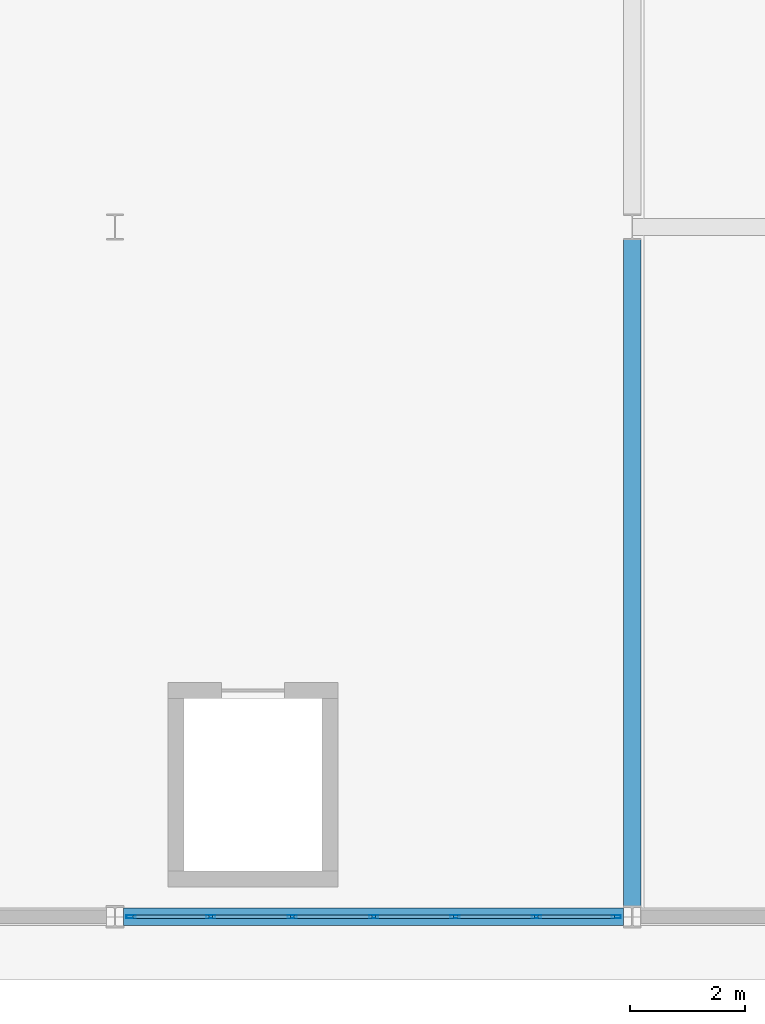
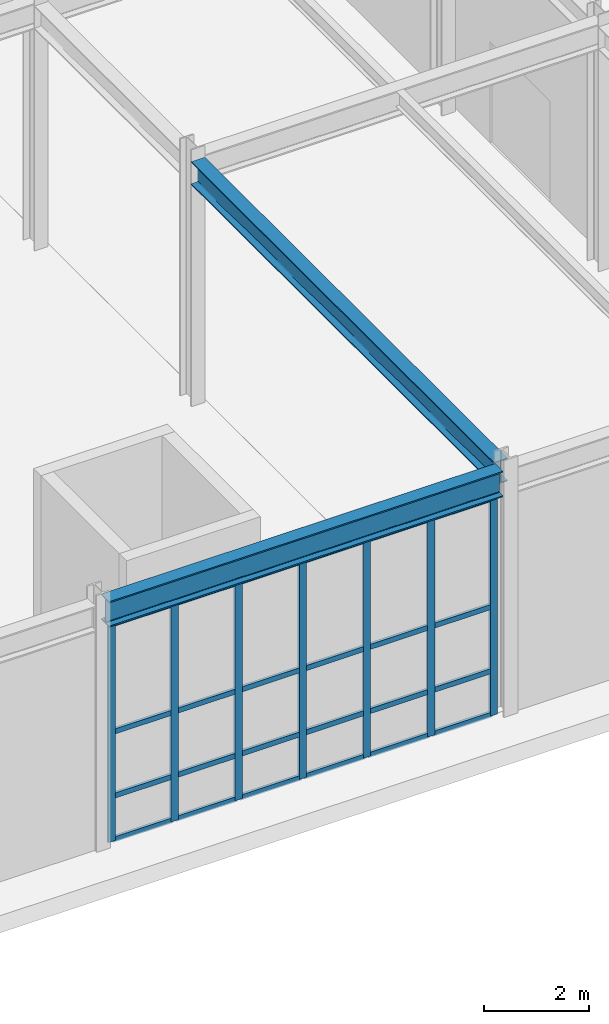
# One storey, part 23 of 146: 31 members, 2 beams, 1 element without a shape of its own.
"""IFC4 building model written with IfcOpenShell, lengths in metres."""

from ifc_helpers import new_model, si_unit, direction, frame, origin, origin_2d, place, context, subcontext, project, spatial, hollow_rectangle, i_section, extrude, material, material_profile, profile_set, type_object, element, aggregate, save


model = new_model("IFC4")

# Units and contexts
model_context = context("Model", 3, precision=1e-05, world=origin(), true_north=direction((0.0, 1.0)))
body_context = subcontext(model_context, "Body", "Model", "MODEL_VIEW")
ifc_project = project(units=[si_unit("LENGTHUNIT", "METRE"), si_unit("AREAUNIT", "SQUARE_METRE"), si_unit("VOLUMEUNIT", "CUBIC_METRE"), si_unit("PLANEANGLEUNIT", "RADIAN"), si_unit("MASSUNIT", "GRAM", prefix="KILO")], contexts=[model_context])

# Site, building, storey
site_placement = place(None, origin())
site = spatial("IfcSite", under=ifc_project, at=site_placement, CompositionType="ELEMENT")
building_placement = place(site_placement, origin())
building = spatial("IfcBuilding", under=site, at=building_placement, Name="Kaldris Quays Convention Centre", CompositionType="ELEMENT")
storey_placement = place(building_placement, origin())
storey = spatial("IfcBuildingStorey", under=building, at=storey_placement, Name="L00", CompositionType="ELEMENT", Elevation=0.0)

# Curtain wall, members
ifc_material_1 = material(Name="Anodized aluminium AW-6060 and triple glazing", Category="aluminium")
curtain_wall_type = type_object("IfcCurtainWallType", Name="UNITISED CURTAIN WALL CW01", PredefinedType="NOTDEFINED", material=ifc_material_1)
curtain_wall_placement = place(storey_placement, origin())
curtain_wall = element("IfcCurtainWall", 1, at=curtain_wall_placement, inside=storey, type_object=curtain_wall_type, Name="L00 Unitised Curtain Wall CW01 45", PredefinedType="NOTDEFINED")
ifc_material_2 = material(Name="Anodized aluminium AW-6060", Category="aluminium")
ifc_material_profile_1 = material_profile(ifc_material_2, hollow_rectangle(XDim=0.06005859375, YDim=0.159912109375, WallThickness=0.00390625, at=origin_2d()), Name="RHS 160x60x4")
ifc_profile_set_1 = profile_set([ifc_material_profile_1], Name="Anodized aluminium AW-6060")
member_type_1 = type_object("IfcMemberType", Name="CURTAIN MULLION CWM1", PredefinedType="MULLION", material=ifc_profile_set_1)
member_1_placement = place(storey_placement, frame((38.280029296875, 16.0, 0.0), z_axis=(0.0, 0.0, 1.0), x_axis=(0.0, 1.0, 0.0)))
member_1 = element("IfcMember", 2, at=member_1_placement, type_object=member_type_1, Name="CW01 mullion 1", PredefinedType="MULLION", context=body_context, shape_type="SweptSolid", body=[
    extrude(hollow_rectangle(XDim=0.06005859375, YDim=0.159912109375, WallThickness=0.00390625, at=origin_2d()), origin(), (0.0, 0.0, 1.0), 5.097900390625),
])
member_2_placement = place(storey_placement, frame((39.666748046875, 16.0, 0.0), z_axis=(0.0, 0.0, 1.0), x_axis=(0.0, 1.0, 0.0)))
member_2 = element("IfcMember", 3, at=member_2_placement, type_object=member_type_1, Name="CW01 mullion 2", PredefinedType="MULLION", context=body_context, shape_type="SweptSolid", body=[
    extrude(hollow_rectangle(XDim=0.06005859375, YDim=0.159912109375, WallThickness=0.00390625, at=origin_2d()), origin(), (0.0, 0.0, 1.0), 5.097900390625),
])
member_3_placement = place(storey_placement, frame((41.083251953125, 16.0, 0.0), z_axis=(0.0, 0.0, 1.0), x_axis=(0.0, 1.0, 0.0)))
member_3 = element("IfcMember", 4, at=member_3_placement, type_object=member_type_1, Name="CW01 mullion 3", PredefinedType="MULLION", context=body_context, shape_type="SweptSolid", body=[
    extrude(hollow_rectangle(XDim=0.06005859375, YDim=0.159912109375, WallThickness=0.00390625, at=origin_2d()), origin(), (0.0, 0.0, 1.0), 5.097900390625),
])
member_4_placement = place(storey_placement, frame((42.5, 16.0, 0.0), z_axis=(0.0, 0.0, 1.0), x_axis=(0.0, 1.0, 0.0)))
member_4 = element("IfcMember", 5, at=member_4_placement, type_object=member_type_1, Name="CW01 mullion 4", PredefinedType="MULLION", context=body_context, shape_type="SweptSolid", body=[
    extrude(hollow_rectangle(XDim=0.06005859375, YDim=0.159912109375, WallThickness=0.00390625, at=origin_2d()), origin(), (0.0, 0.0, 1.0), 5.097900390625),
])
member_5_placement = place(storey_placement, frame((43.916748046875, 16.0, 0.0), z_axis=(0.0, 0.0, 1.0), x_axis=(0.0, 1.0, 0.0)))
member_5 = element("IfcMember", 6, at=member_5_placement, type_object=member_type_1, Name="CW01 mullion 5", PredefinedType="MULLION", context=body_context, shape_type="SweptSolid", body=[
    extrude(hollow_rectangle(XDim=0.06005859375, YDim=0.159912109375, WallThickness=0.00390625, at=origin_2d()), origin(), (0.0, 0.0, 1.0), 5.097900390625),
])
member_6_placement = place(storey_placement, frame((45.333251953125, 16.0, 0.0), z_axis=(0.0, 0.0, 1.0), x_axis=(0.0, 1.0, 0.0)))
member_6 = element("IfcMember", 7, at=member_6_placement, type_object=member_type_1, Name="CW01 mullion 6", PredefinedType="MULLION", context=body_context, shape_type="SweptSolid", body=[
    extrude(hollow_rectangle(XDim=0.06005859375, YDim=0.159912109375, WallThickness=0.00390625, at=origin_2d()), origin(), (0.0, 0.0, 1.0), 5.097900390625),
])
member_7_placement = place(storey_placement, frame((46.719970703125, 16.0, 0.0), z_axis=(0.0, 0.0, 1.0), x_axis=(0.0, 1.0, 0.0)))
member_7 = element("IfcMember", 8, at=member_7_placement, type_object=member_type_1, Name="CW01 mullion 7", PredefinedType="MULLION", context=body_context, shape_type="SweptSolid", body=[
    extrude(hollow_rectangle(XDim=0.06005859375, YDim=0.159912109375, WallThickness=0.00390625, at=origin_2d()), origin(), (0.0, 0.0, 1.0), 5.097900390625),
])
ifc_material_profile_2 = material_profile(ifc_material_2, hollow_rectangle(XDim=0.06005859375, YDim=0.1201171875, WallThickness=0.00390625, at=origin_2d()), Name="RHS 120x60x4")
ifc_profile_set_2 = profile_set([ifc_material_profile_2], Name="Anodized aluminium AW-6060")
member_type_2 = type_object("IfcMemberType", Name="CURTAIN TRANSOM CWT1", PredefinedType="USERDEFINED", material=ifc_profile_set_2)
member_8_placement = place(storey_placement, frame((38.31005859375, 16.0, 0.030029296875), z_axis=(1.0, 0.0, 0.0), x_axis=(0.0, 1.0, 0.0)))
member_8 = element("IfcMember", 9, at=member_8_placement, type_object=member_type_2, Name="CW01 transom 1.1", ObjectType="TRANSOM", PredefinedType="USERDEFINED", context=body_context, shape_type="SweptSolid", body=[
    extrude(hollow_rectangle(XDim=0.06005859375, YDim=0.1201171875, WallThickness=0.00390625, at=origin_2d()), origin(), (0.0, 0.0, 1.0), 1.32666015625),
])
member_9_placement = place(storey_placement, frame((38.31005859375, 16.0, 1.050048828125), z_axis=(1.0, 0.0, 0.0), x_axis=(0.0, 1.0, 0.0)))
member_9 = element("IfcMember", 10, at=member_9_placement, type_object=member_type_2, Name="CW01 transom 1.2", ObjectType="TRANSOM", PredefinedType="USERDEFINED", context=body_context, shape_type="SweptSolid", body=[
    extrude(hollow_rectangle(XDim=0.06005859375, YDim=0.1201171875, WallThickness=0.00390625, at=origin_2d()), origin(), (0.0, 0.0, 1.0), 1.32666015625),
])
member_10_placement = place(storey_placement, frame((38.31005859375, 16.0, 2.549072265625), z_axis=(1.0, 0.0, 0.0), x_axis=(0.0, 1.0, 0.0)))
member_10 = element("IfcMember", 11, at=member_10_placement, type_object=member_type_2, Name="CW01 transom 1.3", ObjectType="TRANSOM", PredefinedType="USERDEFINED", context=body_context, shape_type="SweptSolid", body=[
    extrude(hollow_rectangle(XDim=0.06005859375, YDim=0.1201171875, WallThickness=0.00390625, at=origin_2d()), origin(), (0.0, 0.0, 1.0), 1.32666015625),
])
member_11_placement = place(storey_placement, frame((38.31005859375, 16.0, 5.068115234375), z_axis=(1.0, 0.0, 0.0), x_axis=(0.0, 1.0, 0.0)))
member_11 = element("IfcMember", 12, at=member_11_placement, type_object=member_type_2, Name="CW01 transom 1.4", ObjectType="TRANSOM", PredefinedType="USERDEFINED", context=body_context, shape_type="SweptSolid", body=[
    extrude(hollow_rectangle(XDim=0.06005859375, YDim=0.1201171875, WallThickness=0.00390625, at=origin_2d()), origin(), (0.0, 0.0, 1.0), 1.32666015625),
])
member_12_placement = place(storey_placement, frame((39.69677734375, 16.0, 0.030029296875), z_axis=(1.0, 0.0, 0.0), x_axis=(0.0, 1.0, 0.0)))
member_12 = element("IfcMember", 13, at=member_12_placement, type_object=member_type_2, Name="CW01 transom 2.1", ObjectType="TRANSOM", PredefinedType="USERDEFINED", context=body_context, shape_type="SweptSolid", body=[
    extrude(hollow_rectangle(XDim=0.06005859375, YDim=0.1201171875, WallThickness=0.00390625, at=origin_2d()), origin(), (0.0, 0.0, 1.0), 1.3564453125),
])
member_13_placement = place(storey_placement, frame((39.69677734375, 16.0, 1.050048828125), z_axis=(1.0, 0.0, 0.0), x_axis=(0.0, 1.0, 0.0)))
member_13 = element("IfcMember", 14, at=member_13_placement, type_object=member_type_2, Name="CW01 transom 2.2", ObjectType="TRANSOM", PredefinedType="USERDEFINED", context=body_context, shape_type="SweptSolid", body=[
    extrude(hollow_rectangle(XDim=0.06005859375, YDim=0.1201171875, WallThickness=0.00390625, at=origin_2d()), origin(), (0.0, 0.0, 1.0), 1.3564453125),
])
member_14_placement = place(storey_placement, frame((39.69677734375, 16.0, 2.549072265625), z_axis=(1.0, 0.0, 0.0), x_axis=(0.0, 1.0, 0.0)))
member_14 = element("IfcMember", 15, at=member_14_placement, type_object=member_type_2, Name="CW01 transom 2.3", ObjectType="TRANSOM", PredefinedType="USERDEFINED", context=body_context, shape_type="SweptSolid", body=[
    extrude(hollow_rectangle(XDim=0.06005859375, YDim=0.1201171875, WallThickness=0.00390625, at=origin_2d()), origin(), (0.0, 0.0, 1.0), 1.3564453125),
])
member_15_placement = place(storey_placement, frame((39.69677734375, 16.0, 5.068115234375), z_axis=(1.0, 0.0, 0.0), x_axis=(0.0, 1.0, 0.0)))
member_15 = element("IfcMember", 16, at=member_15_placement, type_object=member_type_2, Name="CW01 transom 2.4", ObjectType="TRANSOM", PredefinedType="USERDEFINED", context=body_context, shape_type="SweptSolid", body=[
    extrude(hollow_rectangle(XDim=0.06005859375, YDim=0.1201171875, WallThickness=0.00390625, at=origin_2d()), origin(), (0.0, 0.0, 1.0), 1.3564453125),
])
member_16_placement = place(storey_placement, frame((41.11328125, 16.0, 0.030029296875), z_axis=(1.0, 0.0, 0.0), x_axis=(0.0, 1.0, 0.0)))
member_16 = element("IfcMember", 17, at=member_16_placement, type_object=member_type_2, Name="CW01 transom 3.1", ObjectType="TRANSOM", PredefinedType="USERDEFINED", context=body_context, shape_type="SweptSolid", body=[
    extrude(hollow_rectangle(XDim=0.06005859375, YDim=0.1201171875, WallThickness=0.00390625, at=origin_2d()), origin(), (0.0, 0.0, 1.0), 1.356689453125),
])
member_17_placement = place(storey_placement, frame((41.11328125, 16.0, 1.050048828125), z_axis=(1.0, 0.0, 0.0), x_axis=(0.0, 1.0, 0.0)))
member_17 = element("IfcMember", 18, at=member_17_placement, type_object=member_type_2, Name="CW01 transom 3.2", ObjectType="TRANSOM", PredefinedType="USERDEFINED", context=body_context, shape_type="SweptSolid", body=[
    extrude(hollow_rectangle(XDim=0.06005859375, YDim=0.1201171875, WallThickness=0.00390625, at=origin_2d()), origin(), (0.0, 0.0, 1.0), 1.356689453125),
])
member_18_placement = place(storey_placement, frame((41.11328125, 16.0, 2.549072265625), z_axis=(1.0, 0.0, 0.0), x_axis=(0.0, 1.0, 0.0)))
member_18 = element("IfcMember", 19, at=member_18_placement, type_object=member_type_2, Name="CW01 transom 3.3", ObjectType="TRANSOM", PredefinedType="USERDEFINED", context=body_context, shape_type="SweptSolid", body=[
    extrude(hollow_rectangle(XDim=0.06005859375, YDim=0.1201171875, WallThickness=0.00390625, at=origin_2d()), origin(), (0.0, 0.0, 1.0), 1.356689453125),
])
member_19_placement = place(storey_placement, frame((41.11328125, 16.0, 5.068115234375), z_axis=(1.0, 0.0, 0.0), x_axis=(0.0, 1.0, 0.0)))
member_19 = element("IfcMember", 20, at=member_19_placement, type_object=member_type_2, Name="CW01 transom 3.4", ObjectType="TRANSOM", PredefinedType="USERDEFINED", context=body_context, shape_type="SweptSolid", body=[
    extrude(hollow_rectangle(XDim=0.06005859375, YDim=0.1201171875, WallThickness=0.00390625, at=origin_2d()), origin(), (0.0, 0.0, 1.0), 1.356689453125),
])
member_20_placement = place(storey_placement, frame((42.530029296875, 16.0, 0.030029296875), z_axis=(1.0, 0.0, 0.0), x_axis=(0.0, 1.0, 0.0)))
member_20 = element("IfcMember", 21, at=member_20_placement, type_object=member_type_2, Name="CW01 transom 4.1", ObjectType="TRANSOM", PredefinedType="USERDEFINED", context=body_context, shape_type="SweptSolid", body=[
    extrude(hollow_rectangle(XDim=0.06005859375, YDim=0.1201171875, WallThickness=0.00390625, at=origin_2d()), origin(), (0.0, 0.0, 1.0), 1.356689453125),
])
member_21_placement = place(storey_placement, frame((42.530029296875, 16.0, 1.050048828125), z_axis=(1.0, 0.0, 0.0), x_axis=(0.0, 1.0, 0.0)))
member_21 = element("IfcMember", 22, at=member_21_placement, type_object=member_type_2, Name="CW01 transom 4.2", ObjectType="TRANSOM", PredefinedType="USERDEFINED", context=body_context, shape_type="SweptSolid", body=[
    extrude(hollow_rectangle(XDim=0.06005859375, YDim=0.1201171875, WallThickness=0.00390625, at=origin_2d()), origin(), (0.0, 0.0, 1.0), 1.356689453125),
])
member_22_placement = place(storey_placement, frame((42.530029296875, 16.0, 2.549072265625), z_axis=(1.0, 0.0, 0.0), x_axis=(0.0, 1.0, 0.0)))
member_22 = element("IfcMember", 23, at=member_22_placement, type_object=member_type_2, Name="CW01 transom 4.3", ObjectType="TRANSOM", PredefinedType="USERDEFINED", context=body_context, shape_type="SweptSolid", body=[
    extrude(hollow_rectangle(XDim=0.06005859375, YDim=0.1201171875, WallThickness=0.00390625, at=origin_2d()), origin(), (0.0, 0.0, 1.0), 1.356689453125),
])
member_23_placement = place(storey_placement, frame((42.530029296875, 16.0, 5.068115234375), z_axis=(1.0, 0.0, 0.0), x_axis=(0.0, 1.0, 0.0)))
member_23 = element("IfcMember", 24, at=member_23_placement, type_object=member_type_2, Name="CW01 transom 4.4", ObjectType="TRANSOM", PredefinedType="USERDEFINED", context=body_context, shape_type="SweptSolid", body=[
    extrude(hollow_rectangle(XDim=0.06005859375, YDim=0.1201171875, WallThickness=0.00390625, at=origin_2d()), origin(), (0.0, 0.0, 1.0), 1.356689453125),
])
member_24_placement = place(storey_placement, frame((43.94677734375, 16.0, 0.030029296875), z_axis=(1.0, 0.0, 0.0), x_axis=(0.0, 1.0, 0.0)))
member_24 = element("IfcMember", 25, at=member_24_placement, type_object=member_type_2, Name="CW01 transom 5.1", ObjectType="TRANSOM", PredefinedType="USERDEFINED", context=body_context, shape_type="SweptSolid", body=[
    extrude(hollow_rectangle(XDim=0.06005859375, YDim=0.1201171875, WallThickness=0.00390625, at=origin_2d()), origin(), (0.0, 0.0, 1.0), 1.3564453125),
])
member_25_placement = place(storey_placement, frame((43.94677734375, 16.0, 1.050048828125), z_axis=(1.0, 0.0, 0.0), x_axis=(0.0, 1.0, 0.0)))
member_25 = element("IfcMember", 26, at=member_25_placement, type_object=member_type_2, Name="CW01 transom 5.2", ObjectType="TRANSOM", PredefinedType="USERDEFINED", context=body_context, shape_type="SweptSolid", body=[
    extrude(hollow_rectangle(XDim=0.06005859375, YDim=0.1201171875, WallThickness=0.00390625, at=origin_2d()), origin(), (0.0, 0.0, 1.0), 1.3564453125),
])
member_26_placement = place(storey_placement, frame((43.94677734375, 16.0, 2.549072265625), z_axis=(1.0, 0.0, 0.0), x_axis=(0.0, 1.0, 0.0)))
member_26 = element("IfcMember", 27, at=member_26_placement, type_object=member_type_2, Name="CW01 transom 5.3", ObjectType="TRANSOM", PredefinedType="USERDEFINED", context=body_context, shape_type="SweptSolid", body=[
    extrude(hollow_rectangle(XDim=0.06005859375, YDim=0.1201171875, WallThickness=0.00390625, at=origin_2d()), origin(), (0.0, 0.0, 1.0), 1.3564453125),
])
member_27_placement = place(storey_placement, frame((43.94677734375, 16.0, 5.068115234375), z_axis=(1.0, 0.0, 0.0), x_axis=(0.0, 1.0, 0.0)))
member_27 = element("IfcMember", 28, at=member_27_placement, type_object=member_type_2, Name="CW01 transom 5.4", ObjectType="TRANSOM", PredefinedType="USERDEFINED", context=body_context, shape_type="SweptSolid", body=[
    extrude(hollow_rectangle(XDim=0.06005859375, YDim=0.1201171875, WallThickness=0.00390625, at=origin_2d()), origin(), (0.0, 0.0, 1.0), 1.3564453125),
])
member_28_placement = place(storey_placement, frame((45.36328125, 16.0, 0.030029296875), z_axis=(1.0, 0.0, 0.0), x_axis=(0.0, 1.0, 0.0)))
member_28 = element("IfcMember", 29, at=member_28_placement, type_object=member_type_2, Name="CW01 transom 6.1", ObjectType="TRANSOM", PredefinedType="USERDEFINED", context=body_context, shape_type="SweptSolid", body=[
    extrude(hollow_rectangle(XDim=0.06005859375, YDim=0.1201171875, WallThickness=0.00390625, at=origin_2d()), origin(), (0.0, 0.0, 1.0), 1.32666015625),
])
member_29_placement = place(storey_placement, frame((45.36328125, 16.0, 1.050048828125), z_axis=(1.0, 0.0, 0.0), x_axis=(0.0, 1.0, 0.0)))
member_29 = element("IfcMember", 30, at=member_29_placement, type_object=member_type_2, Name="CW01 transom 6.2", ObjectType="TRANSOM", PredefinedType="USERDEFINED", context=body_context, shape_type="SweptSolid", body=[
    extrude(hollow_rectangle(XDim=0.06005859375, YDim=0.1201171875, WallThickness=0.00390625, at=origin_2d()), origin(), (0.0, 0.0, 1.0), 1.32666015625),
])
member_30_placement = place(storey_placement, frame((45.36328125, 16.0, 2.549072265625), z_axis=(1.0, 0.0, 0.0), x_axis=(0.0, 1.0, 0.0)))
member_30 = element("IfcMember", 31, at=member_30_placement, type_object=member_type_2, Name="CW01 transom 6.3", ObjectType="TRANSOM", PredefinedType="USERDEFINED", context=body_context, shape_type="SweptSolid", body=[
    extrude(hollow_rectangle(XDim=0.06005859375, YDim=0.1201171875, WallThickness=0.00390625, at=origin_2d()), origin(), (0.0, 0.0, 1.0), 1.32666015625),
])
member_31_placement = place(storey_placement, frame((45.36328125, 16.0, 5.068115234375), z_axis=(1.0, 0.0, 0.0), x_axis=(0.0, 1.0, 0.0)))
member_31 = element("IfcMember", 32, at=member_31_placement, type_object=member_type_2, Name="CW01 transom 6.4", ObjectType="TRANSOM", PredefinedType="USERDEFINED", context=body_context, shape_type="SweptSolid", body=[
    extrude(hollow_rectangle(XDim=0.06005859375, YDim=0.1201171875, WallThickness=0.00390625, at=origin_2d()), origin(), (0.0, 0.0, 1.0), 1.32666015625),
])
aggregate(curtain_wall, [member_1, member_2, member_3, member_4, member_5, member_6, member_7, member_8, member_9, member_10, member_11, member_12, member_13, member_14, member_15, member_16, member_17, member_18, member_19, member_20, member_21, member_22, member_23, member_24, member_25, member_26, member_27, member_28, member_29, member_30, member_31])

# Beams
ifc_material_3 = material(Name="Steel S355J2", Category="steel")
ifc_material_profile_3 = material_profile(ifc_material_3, i_section(OverallWidth=0.300048828125, OverallDepth=0.60009765625, WebThickness=0.015380859375, FlangeThickness=0.030029296875, FilletRadius=0.027099609375, at=origin_2d()), Name="HEB 600")
ifc_profile_set_3 = profile_set([ifc_material_profile_3], Name="Steel S355J2")
beam_type_1 = type_object("IfcBeamType", Name="STRUCTURAL BEAM BM05", PredefinedType="BEAM", material=ifc_profile_set_3)
beam_1_placement = place(storey_placement, frame((38.14794921875, 16.0, 5.423095703125), z_axis=(1.0, 0.0, 0.0), x_axis=(0.0, 1.0, 0.0)))
element("IfcBeam", 33, at=beam_1_placement, inside=storey, type_object=beam_type_1, Name="L00 Girder BM05 3", PredefinedType="BEAM", context=body_context, shape_type="SweptSolid", body=[
    extrude(i_section(OverallWidth=0.300048828125, OverallDepth=0.60009765625, WebThickness=0.015380859375, FlangeThickness=0.030029296875, FilletRadius=0.027099609375, at=origin_2d()), origin(), (0.0, 0.0, 1.0), 8.7041015625),
])
ifc_material_profile_4 = material_profile(ifc_material_3, i_section(OverallWidth=0.300048828125, OverallDepth=0.5400390625, WebThickness=0.012451171875, FlangeThickness=0.02392578125, FilletRadius=0.027099609375, at=origin_2d()), Name="HEA 550")
ifc_profile_set_4 = profile_set([ifc_material_profile_4], Name="Steel S355J2")
beam_type_2 = type_object("IfcBeamType", Name="STRUCTURAL BEAM BM13", PredefinedType="BEAM", material=ifc_profile_set_4)
beam_2_placement = place(storey_placement, frame((47.0, 16.19140625, 5.452880859375), z_axis=(0.0, 1.0, 0.0), x_axis=(-1.0, 0.0, 0.0)))
element("IfcBeam", 34, at=beam_2_placement, inside=storey, type_object=beam_type_2, Name="L00 Girder BM13 35", PredefinedType="BEAM", context=body_context, shape_type="SweptSolid", body=[
    extrude(i_section(OverallWidth=0.300048828125, OverallDepth=0.5400390625, WebThickness=0.012451171875, FlangeThickness=0.02392578125, FilletRadius=0.027099609375, at=origin_2d()), origin(), (0.0, 0.0, 1.0), 11.589599609375),
])

save(model, "model.ifc")
